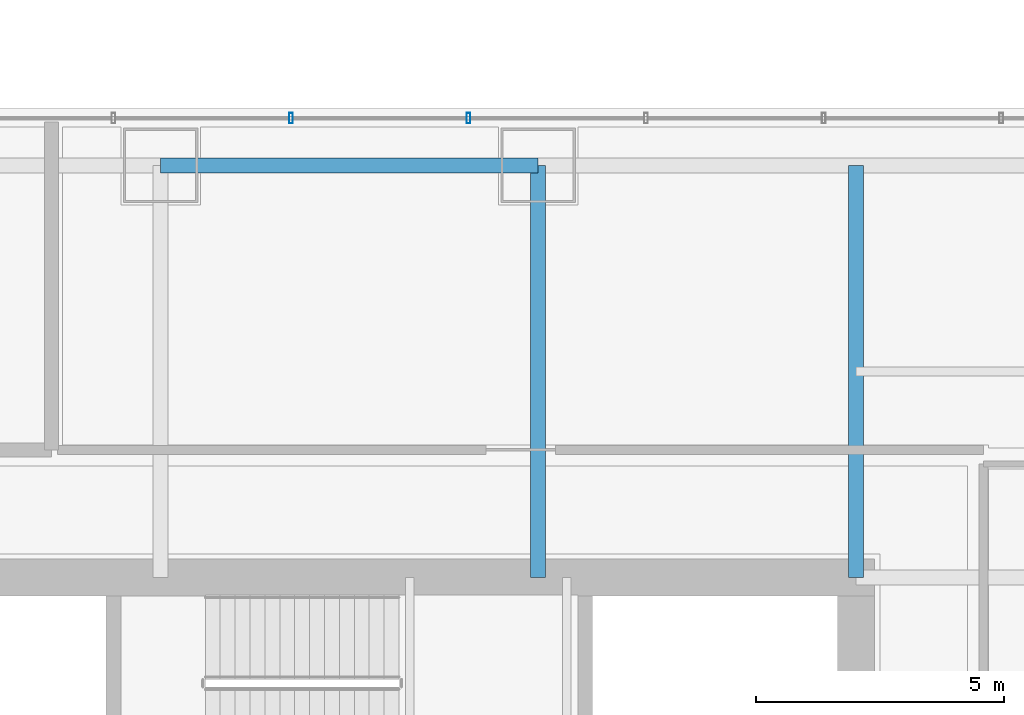
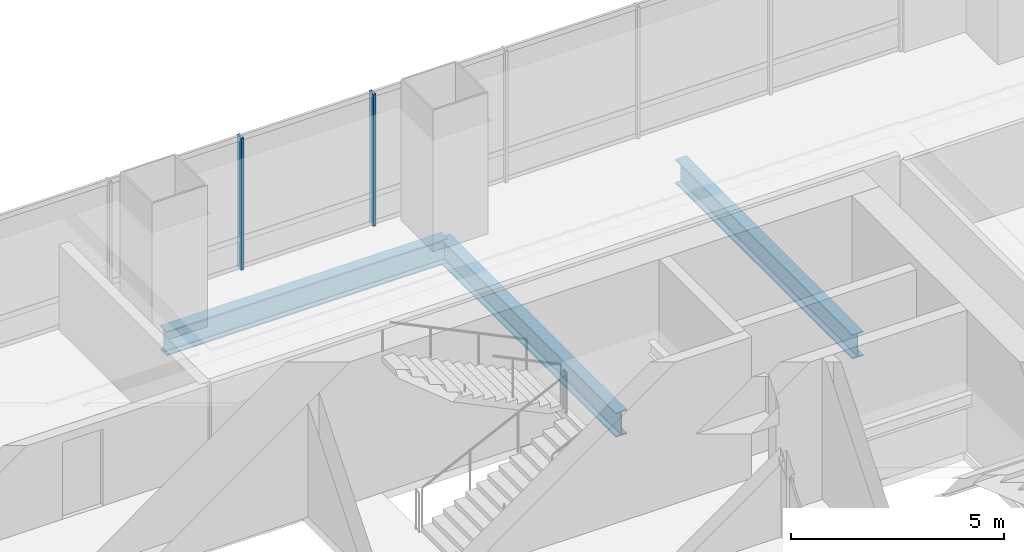
# One storey, part 20 of 42: 3 beams, 2 members, 1 element without a shape of its own.
"""IFC4 building model written with IfcOpenShell, lengths in metres."""

import ifcopenshell
import ifcopenshell.guid

model = None  # the IFC model being written
_history = None  # IfcOwnerHistory: only IFC2X3 demands one
_inside = {}  # id of a spatial element -> (the spatial element, [elements in it])
_under = {}  # id of a project, library or spatial element -> (it, [spatial elements below it])
_declared = {}  # id of a project -> (the project, [libraries it declares])
_typed = {}  # id of a type object -> (the type object, [elements of that type])
_made_of = {}  # id of a material, layer set ... -> (it, [elements and type objects made of it])


def new_model(schema):
    """Start an empty IFC model of exactly this schema.

    Asked for "IFC4X3", IfcOpenShell would pick the latest addendum, in which some entities
    have other attributes; the version numbers below select the first issue.
    IFC2X3 requires an IfcOwnerHistory on every rooted entity: one is made here for all.
    """
    global model, _history
    if schema == "IFC4X3":
        model = ifcopenshell.file(schema_version=(4, 3, 0, 0))
    else:
        model = ifcopenshell.file(schema=schema)
    _inside.clear()
    _under.clear()
    _declared.clear()
    _typed.clear()
    _made_of.clear()
    _history = None
    if model.schema == "IFC2X3":
        org = make("IfcOrganization", Name="unknown")
        user = make(
            "IfcPersonAndOrganization",
            ThePerson=make("IfcPerson", FamilyName="unknown"),
            TheOrganization=org,
        )
        app = make(
            "IfcApplication",
            ApplicationDeveloper=org,
            Version="unknown",
            ApplicationFullName="unknown",
            ApplicationIdentifier="unknown",
        )
        _history = make(
            "IfcOwnerHistory",
            OwningUser=user,
            OwningApplication=app,
            ChangeAction="ADDED",
            CreationDate=0,
        )
    return model


def make(cls, **values):
    """One entity of the class cls with the attributes given. An attribute that is None is left unset."""
    return model.create_entity(
        cls, **{name: value for name, value in values.items() if value is not None}
    )


def rooted(cls, **values):
    """An entity with a GlobalId (a new one), such as an element, a storey or a relation."""
    return make(cls, GlobalId=ifcopenshell.guid.new(), OwnerHistory=_history, **values)


def si_unit(unit_type, name, prefix=None):
    """IfcSIUnit, for example si_unit("LENGTHUNIT", "METRE", prefix="MILLI")."""
    return make("IfcSIUnit", UnitType=unit_type, Prefix=prefix, Name=name)


def assignment(units):
    """IfcUnitAssignment: the units of a project."""
    return None if units is None else make("IfcUnitAssignment", Units=units)


def point(xyz):
    """IfcCartesianPoint."""
    return None if xyz is None else make("IfcCartesianPoint", Coordinates=xyz)


def direction(xyz):
    """IfcDirection."""
    return None if xyz is None else make("IfcDirection", DirectionRatios=xyz)


def frame(location, z_axis=None, x_axis=None):
    """IfcAxis2Placement3D, a coordinate frame: its origin and axes. An axis left out is left unset."""
    return make(
        "IfcAxis2Placement3D",
        Location=point(location),
        Axis=direction(z_axis),
        RefDirection=direction(x_axis),
    )


def frame_2d(location, x_axis=None):
    """IfcAxis2Placement2D, a coordinate frame in the plane: its origin and x axis."""
    return make(
        "IfcAxis2Placement2D", Location=point(location), RefDirection=direction(x_axis)
    )


def origin():
    """The frame at (0, 0, 0) with its axes left unset."""
    return frame((0.0, 0.0, 0.0))


def origin_2d():
    """The frame at (0, 0) in the plane with its x axis left unset."""
    return frame_2d((0.0, 0.0))


def place(relative_to, where):
    """IfcLocalPlacement: puts the frame where relative to a parent placement (None: the world)."""
    return make(
        "IfcLocalPlacement", PlacementRelTo=relative_to, RelativePlacement=where
    )


def context(
    kind, dimensions, precision=None, world=None, true_north=None, identifier=None
):
    """IfcGeometricRepresentationContext, for example the 3D "Model" context."""
    return make(
        "IfcGeometricRepresentationContext",
        ContextIdentifier=identifier,
        ContextType=kind,
        CoordinateSpaceDimension=dimensions,
        Precision=precision,
        WorldCoordinateSystem=world,
        TrueNorth=true_north,
    )


def subcontext(parent, identifier, kind, view, scale=None):
    """IfcGeometricRepresentationSubContext, for example "Body" below "Model"."""
    return make(
        "IfcGeometricRepresentationSubContext",
        ContextIdentifier=identifier,
        ContextType=kind,
        ParentContext=parent,
        TargetScale=scale,
        TargetView=view,
    )


def project(units=None, contexts=None):
    """IfcProject with its units and contexts."""
    return rooted(
        "IfcProject",
        Name="project",
        RepresentationContexts=contexts,
        UnitsInContext=assignment(units),
    )


def spatial(cls, under=None, at=None, **own):
    """A site, building, storey or space (cls), placed at a placement, below another one or the project."""
    s = rooted(cls, ObjectPlacement=at, **own)
    if under is not None:
        _under.setdefault(under.id(), (under, []))[1].append(s)
    return s


def profile(cls, at=None, kind="AREA", **sizes):
    """A parametric profile (cls). Its sizes go by their IFC names, for example OverallWidth=200.0."""
    return make(cls, ProfileType=kind, Position=at, **sizes)


def hollow_rectangle(**sizes):
    """IfcRectangleHollowProfileDef."""
    return profile("IfcRectangleHollowProfileDef", **sizes)


def i_section(**sizes):
    """IfcIShapeProfileDef."""
    return profile("IfcIShapeProfileDef", **sizes)


def extrude(swept, where, along, depth):
    """IfcExtrudedAreaSolid: the profile swept, set in the frame where, extruded along a direction by depth."""
    return make(
        "IfcExtrudedAreaSolid",
        SweptArea=swept,
        Position=where,
        ExtrudedDirection=direction(along),
        Depth=depth,
    )


def shape(context_of_items, identifier, shape_type, items):
    """IfcShapeRepresentation: the items that make up one representation, for example the "Body"."""
    return make(
        "IfcShapeRepresentation",
        ContextOfItems=context_of_items,
        RepresentationIdentifier=identifier,
        RepresentationType=shape_type,
        Items=items,
    )


def material(Name=None, Category=None):
    """IfcMaterial."""
    return make("IfcMaterial", Name=Name, Category=Category)


def material_profile(
    of_material, cross_section, Name=None, Category=None, Priority=None
):
    """IfcMaterialProfile: a cross section and its material."""
    return make(
        "IfcMaterialProfile",
        Name=Name,
        Material=of_material,
        Profile=cross_section,
        Priority=Priority,
        Category=Category,
    )


def profile_set(profiles, Name=None, composite=None):
    """IfcMaterialProfileSet."""
    return make(
        "IfcMaterialProfileSet",
        Name=Name,
        MaterialProfiles=profiles,
        CompositeProfile=composite,
    )


def made_of(thing, what):
    """Note that an element or type object is made of a material, layer set ...; save() writes the relation."""
    if what is not None:
        _made_of.setdefault(what.id(), (what, []))[1].append(thing)
    return thing


def type_object(cls, material=None, **own):
    """A type object (cls), such as IfcWallType, which elements share."""
    return made_of(rooted(cls, **own), material)


def element(
    cls,
    number,
    at=None,
    inside=None,
    cuts=None,
    type_object=None,
    material=None,
    context=None,
    identifier="Body",
    shape_type=None,
    held_by="IfcProductDefinitionShape",
    body=None,
    shapes=None,
    **own,
):
    """One element of the class cls, such as IfcWall. Its Tag is "e" and its number.

    at: its placement. inside: the storey or other place that contains it. cuts: it is an
    opening in that element (IfcRelVoidsElement). A single representation is given by context,
    identifier, shape_type and body (its items); several are given by shapes. held_by: the class
    of the entity that holds the representations. save() writes the other relations.
    """
    e = rooted(cls, Tag="e%d" % number, ObjectPlacement=at, **own)
    if body is not None:
        shapes = [shape(context, identifier, shape_type, body)]
    if shapes is not None:
        e.Representation = make(held_by, Representations=shapes)
    if inside is not None:
        _inside.setdefault(inside.id(), (inside, []))[1].append(e)
    if cuts is not None:
        rooted(
            "IfcRelVoidsElement", RelatingBuildingElement=cuts, RelatedOpeningElement=e
        )
    if type_object is not None:
        _typed.setdefault(type_object.id(), (type_object, []))[1].append(e)
    return made_of(e, material)


def aggregate(whole, parts):
    """IfcRelAggregates: a whole, such as a stair, and the parts it consists of."""
    return rooted("IfcRelAggregates", RelatingObject=whole, RelatedObjects=parts)


def save(model, path):
    """Write the relations noted so far, then the file.

    IfcRelAggregates (storeys below a building ...), IfcRelContainedInSpatialStructure (elements
    in a storey), IfcRelDefinesByType, IfcRelAssociatesMaterial and IfcRelDeclares: one each for
    every whole, place, type object, material and project.
    """
    for whole, parts in _under.values():
        aggregate(whole, parts)
    for where, things in _inside.values():
        rooted(
            "IfcRelContainedInSpatialStructure",
            RelatedElements=things,
            RelatingStructure=where,
        )
    for kind, things in _typed.values():
        rooted("IfcRelDefinesByType", RelatedObjects=things, RelatingType=kind)
    for what, things in _made_of.values():
        rooted("IfcRelAssociatesMaterial", RelatedObjects=things, RelatingMaterial=what)
    for by, libraries in _declared.values():
        rooted("IfcRelDeclares", RelatingContext=by, RelatedDefinitions=libraries)
    model.write(path)


model = new_model("IFC4")

# Units and contexts
model_context = context("Model", 3, precision=1e-05, world=origin(), true_north=direction((0.0, 1.0)))
body_context = subcontext(model_context, "Body", "Model", "MODEL_VIEW")
ifc_project = project(units=[si_unit("LENGTHUNIT", "METRE"), si_unit("AREAUNIT", "SQUARE_METRE"), si_unit("VOLUMEUNIT", "CUBIC_METRE"), si_unit("PLANEANGLEUNIT", "RADIAN"), si_unit("MASSUNIT", "GRAM", prefix="KILO")], contexts=[model_context])

# Site, building, storey
site_placement = place(None, origin())
site = spatial("IfcSite", under=ifc_project, at=site_placement, CompositionType="ELEMENT")
building_placement = place(site_placement, origin())
building = spatial("IfcBuilding", under=site, at=building_placement, Name="Punatoya Terracotta Tower", CompositionType="ELEMENT")
storey_placement = place(building_placement, frame((0.0, 0.0, 88.949951171875)))
storey = spatial("IfcBuildingStorey", under=building, at=storey_placement, Name="L20", CompositionType="ELEMENT", Elevation=88.949951171875)

# Beams
ifc_material_1 = material(Name="Steel S355", Category="steel")
ifc_material_profile_1 = material_profile(ifc_material_1, i_section(OverallWidth=0.300048828125, OverallDepth=0.699951171875, WebThickness=0.01708984375, FlangeThickness=0.031982421875, FilletRadius=0.01806640625, at=origin_2d()))
ifc_profile_set_1 = profile_set([ifc_material_profile_1], Name="Steel S355")
beam_type = type_object("IfcBeamType", Name="BM-PRI-700", PredefinedType="BEAM", material=ifc_profile_set_1)
beam_placement = place(storey_placement, frame((-3.800048828125, 17.5, -0.58984375), z_axis=(1.0, 0.0, 0.0), x_axis=(0.0, 1.0, 0.0)))
element("IfcBeam", 1, at=beam_placement, inside=storey, type_object=beam_type, Name="BM-L20-RG-N2", PredefinedType="BEAM", context=body_context, shape_type="SweptSolid", body=[
    extrude(i_section(OverallWidth=0.300048828125, OverallDepth=0.699951171875, WebThickness=0.01708984375, FlangeThickness=0.031982421875, FilletRadius=0.01806640625, at=origin_2d()), origin(), (0.0, 0.0, 1.0), 7.60009765625),
])
for number, where, z_axis, x_axis, name in (
    (2, (3.800048828125, 9.199951171875, -0.58984375), (0.0, 1.0, 0.0), (-1.0, 0.0, 0.0), "BM-L20-PR-N3"),
    (3, (10.199951171875, 9.199951171875, -0.58984375), (0.0, 1.0, 0.0), (-1.0, 0.0, 0.0), "BM-L20-PR-N4"),
):
    element("IfcBeam", number, at=place(storey_placement, frame(where, z_axis=z_axis, x_axis=x_axis)), inside=storey, type_object=beam_type, Name=name, PredefinedType="BEAM", context=body_context, shape_type="SweptSolid", body=[
        extrude(i_section(OverallWidth=0.300048828125, OverallDepth=0.699951171875, WebThickness=0.01708984375, FlangeThickness=0.031982421875, FilletRadius=0.01806640625, at=origin_2d()), origin(), (0.0, 0.0, 1.0), 8.300048828125),
    ])

# Curtain wall, members
ifc_material_2 = material(Name="Aluminium 6063-T6 + Double Low-E Glass", Category="aluminium")
curtain_wall_type = type_object("IfcCurtainWallType", Name="CW-M1", PredefinedType="NOTDEFINED", material=ifc_material_2)
curtain_wall_placement = place(storey_placement, origin())
curtain_wall = element("IfcCurtainWall", 4, at=curtain_wall_placement, inside=storey, type_object=curtain_wall_type, Name="L20 Curtain Wall CW-L20-N09-1", PredefinedType="NOTDEFINED")
ifc_material_3 = material(Name="Aluminium 6063-T6", Category="aluminium")
ifc_material_profile_2 = material_profile(ifc_material_3, hollow_rectangle(XDim=0.074951171875, YDim=0.2099609375, WallThickness=0.00439453125, at=origin_2d()))
ifc_profile_set_2 = profile_set([ifc_material_profile_2], Name="Aluminium 6063-T6")
member_type = type_object("IfcMemberType", Name="CW-MUL-M1", PredefinedType="MULLION", material=ifc_profile_set_2)
member_1_placement = place(storey_placement, frame((2.39990234375, 18.449951171875, 0.0), z_axis=(0.0, 0.0, 1.0), x_axis=(1.0, 0.0, 0.0)))
member_1 = element("IfcMember", 5, at=member_1_placement, type_object=member_type, Name="CW-L20-N09-1 Mullion 04", PredefinedType="MULLION", context=body_context, shape_type="SweptSolid", body=[
    extrude(hollow_rectangle(XDim=0.074951171875, YDim=0.2099609375, WallThickness=0.00439453125, at=origin_2d()), origin(), (0.0, 0.0, 1.0), 3.77001953125),
])
member_2_placement = place(storey_placement, frame((-1.175048828125, 18.449951171875, 0.0), z_axis=(0.0, 0.0, 1.0), x_axis=(1.0, 0.0, 0.0)))
member_2 = element("IfcMember", 6, at=member_2_placement, type_object=member_type, Name="CW-L20-N09-1 Mullion 05", PredefinedType="MULLION", context=body_context, shape_type="SweptSolid", body=[
    extrude(hollow_rectangle(XDim=0.074951171875, YDim=0.2099609375, WallThickness=0.00439453125, at=origin_2d()), origin(), (0.0, 0.0, 1.0), 3.77001953125),
])
aggregate(curtain_wall, [member_1, member_2])

save(model, "model.ifc")
